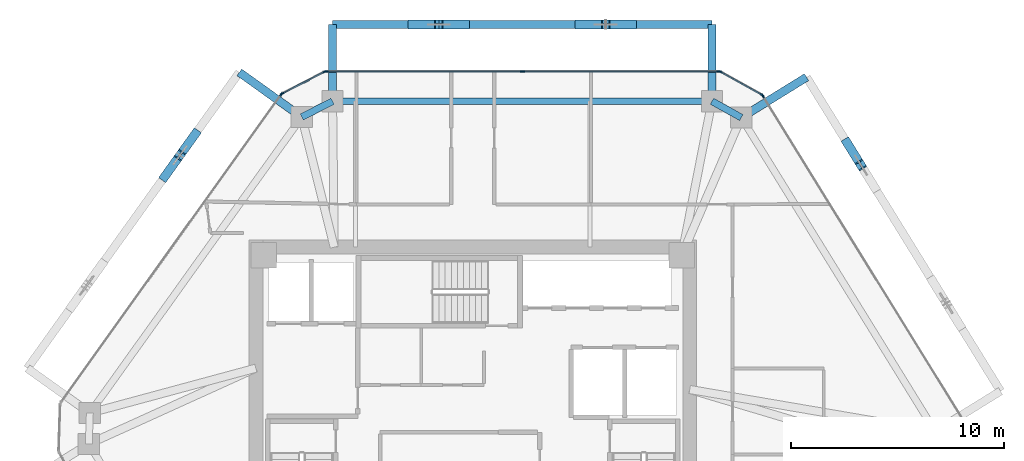
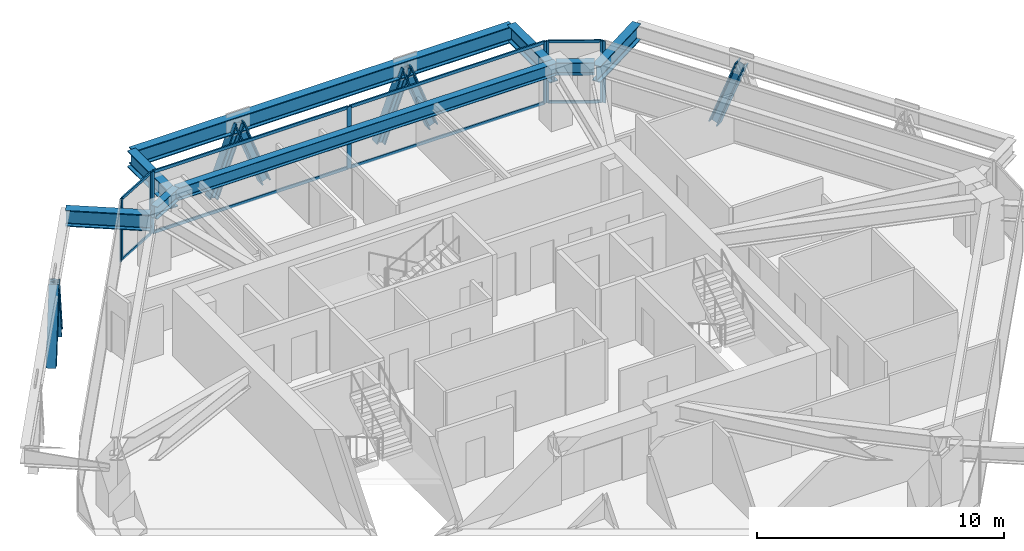
# One storey, part 6 of 14: 24 members, 8 beams, 5 elements without a shape of their own.
"""IFC4 building model written with IfcOpenShell, lengths in metres."""

from ifc_helpers import new_model, si_unit, direction, frame, origin, origin_2d, place, context, subcontext, project, spatial, rectangle, i_section, extrude, source, transform, mapped, material, layer, layer_set, material_profile, profile_set, type_object, type_shapes, element, aggregate, save


model = new_model("IFC4")

# Units and contexts
model_context = context("Model", 3, precision=1e-05, world=origin(), true_north=direction((0.0, 1.0)))
body_context = subcontext(model_context, "Body", "Model", "MODEL_VIEW")
ifc_project = project(units=[si_unit("LENGTHUNIT", "METRE"), si_unit("AREAUNIT", "SQUARE_METRE"), si_unit("VOLUMEUNIT", "CUBIC_METRE"), si_unit("PLANEANGLEUNIT", "RADIAN"), si_unit("MASSUNIT", "GRAM", prefix="KILO")], contexts=[model_context])

# Site, building, storey
site_placement = place(None, origin())
site = spatial("IfcSite", under=ifc_project, at=site_placement, CompositionType="ELEMENT")
building_placement = place(site_placement, origin())
building = spatial("IfcBuilding", under=site, at=building_placement, Name="Durnholm Broadcast Tower", CompositionType="ELEMENT")
storey_placement = place(building_placement, frame((0.0, 0.0, 187.0)))
storey = spatial("IfcBuildingStorey", under=building, at=storey_placement, Name="L51", CompositionType="ELEMENT", Elevation=187.0)

# Beams
ifc_material_1 = material(Name="Steel ASTM A992 Grade 50", Category="steel")
ifc_material_profile_1 = material_profile(ifc_material_1, i_section(OverallWidth=0.385009765625, OverallDepth=0.802978515625, WebThickness=0.023681640625, FlangeThickness=0.0419921875, FilletRadius=0.032958984375, at=origin_2d()), Name="W30X261")
ifc_profile_set_1 = profile_set([ifc_material_profile_1], Name="Steel ASTM A992 Grade 50")
beam_type_1 = type_object("IfcBeamType", Name="BM-EXO-TIE", PredefinedType="USERDEFINED", material=ifc_profile_set_1)
shared_shape_1 = source(origin(), body_context, "Body", "SweptSolid", [
    extrude(i_section(OverallWidth=0.385009765625, OverallDepth=0.802978515625, WebThickness=0.023681640625, FlangeThickness=0.0419921875, FilletRadius=0.032958984375, at=origin_2d()), origin(), (0.0, 0.0, 1.0), 3.4560546875),
])
for number, where, z_axis, x_axis, name in (
    (1, (12.713134765625, 14.327880859375, 2.30859375), (0.850662348375, 0.525712439512, 0.0), (-0.525712439512, 0.850662348375, 0.0), "L51 exoskeleton stand-off tie bracket F3.2"),
    (2, (-8.138916015625, 14.360107421875, 2.30859375), (-0.813079048773, 0.582153296346, 0.0), (-0.582153296346, -0.813079048773, 0.0), "L51 exoskeleton stand-off tie bracket F5.1"),
):
    element("IfcBeam", number, at=place(storey_placement, frame(where, z_axis=z_axis, x_axis=x_axis)), inside=storey, type_object=beam_type_1, Name=name, ObjectType="GIRDER", PredefinedType="USERDEFINED", context=body_context, shape_type="MappedRepresentation", body=[
        mapped(shared_shape_1, transform((0.0, 0.0, 0.0), x_axis=(1.0, 0.0, 0.0), y_axis=(0.0, 1.0, 0.0), z_axis=(0.0, 0.0, 1.0), scale=1.0)),
    ])
shared_shape_2 = source(origin(), body_context, "Body", "SweptSolid", [
    extrude(i_section(OverallWidth=0.385009765625, OverallDepth=0.802978515625, WebThickness=0.023681640625, FlangeThickness=0.0419921875, FilletRadius=0.032958984375, at=origin_2d()), origin(), (0.0, 0.0, 1.0), 3.455810546875),
])
for number, where, z_axis, x_axis, name in (
    (3, (11.217529296875, 15.162109375, 2.30859375), (0.0, 1.0, 0.0), (-1.0, 0.0, 0.0), "L51 exoskeleton stand-off tie bracket F4.1"),
    (4, (-6.57861328125, 15.162109375, 2.30859375), (0.0, 1.0, 0.0), (-1.0, 0.0, 0.0), "L51 exoskeleton stand-off tie bracket F4.2"),
):
    element("IfcBeam", number, at=place(storey_placement, frame(where, z_axis=z_axis, x_axis=x_axis)), inside=storey, type_object=beam_type_1, Name=name, ObjectType="GIRDER", PredefinedType="USERDEFINED", context=body_context, shape_type="MappedRepresentation", body=[
        mapped(shared_shape_2, transform((0.0, 0.0, 0.0), x_axis=(1.0, 0.0, 0.0), y_axis=(0.0, 1.0, 0.0), z_axis=(0.0, 0.0, 1.0), scale=1.0)),
    ])
ifc_material_profile_2 = material_profile(ifc_material_1, i_section(OverallWidth=0.3251953125, OverallDepth=0.6162109375, WebThickness=0.013916015625, FlangeThickness=0.021484375, FilletRadius=0.02783203125, at=origin_2d()), Name="W24X117")
ifc_profile_set_2 = profile_set([ifc_material_profile_2], Name="Steel ASTM A992 Grade 50")
beam_type_2 = type_object("IfcBeamType", Name="STL-SP-W24X117", PredefinedType="SPANDREL", material=ifc_profile_set_2)
shared_shape_3 = source(origin(), body_context, "Body", "SweptSolid", [
    extrude(i_section(OverallWidth=0.3251953125, OverallDepth=0.6162109375, WebThickness=0.013916015625, FlangeThickness=0.021484375, FilletRadius=0.02783203125, at=origin_2d()), origin(), (0.0, 0.0, 1.0), 1.62255859375),
])
beam_1_placement = place(storey_placement, frame((-8.021728515625, 14.2763671875, 2.73681640625), z_axis=(0.889406668864, 0.45711680934, 0.0), x_axis=(-0.45711680934, 0.889406668864, 0.0)))
element("IfcBeam", 5, at=beam_1_placement, inside=storey, type_object=beam_type_2, Name="L51 perimeter spandrel girder 04", PredefinedType="SPANDREL", context=body_context, shape_type="MappedRepresentation", body=[
    mapped(shared_shape_3, transform((0.0, 0.0, 0.0), x_axis=(1.0, 0.0, 0.0), y_axis=(0.0, 1.0, 0.0), z_axis=(0.0, 0.0, 1.0), scale=1.0)),
])
shared_shape_4 = source(origin(), body_context, "Body", "SweptSolid", [
    extrude(i_section(OverallWidth=0.3251953125, OverallDepth=0.6162109375, WebThickness=0.013916015625, FlangeThickness=0.021484375, FilletRadius=0.02783203125, at=origin_2d()), origin(), (0.0, 0.0, 1.0), 17.796142578125),
])
beam_2_placement = place(storey_placement, frame((-6.57861328125, 15.01806640625, 2.73681640625), z_axis=(1.0, 0.0, 0.0), x_axis=(0.0, 1.0, 0.0)))
element("IfcBeam", 6, at=beam_2_placement, inside=storey, type_object=beam_type_2, Name="L51 perimeter spandrel girder 05", PredefinedType="SPANDREL", context=body_context, shape_type="MappedRepresentation", body=[
    mapped(shared_shape_4, transform((0.0, 0.0, 0.0), x_axis=(1.0, 0.0, 0.0), y_axis=(0.0, 1.0, 0.0), z_axis=(0.0, 0.0, 1.0), scale=1.0)),
])
shared_shape_5 = source(origin(), body_context, "Body", "SweptSolid", [
    extrude(i_section(OverallWidth=0.3251953125, OverallDepth=0.6162109375, WebThickness=0.013916015625, FlangeThickness=0.021484375, FilletRadius=0.02783203125, at=origin_2d()), origin(), (0.0, 0.0, 1.0), 1.572509765625),
])
type_shapes(beam_type_2, [shared_shape_3, shared_shape_4, shared_shape_5])
beam_3_placement = place(storey_placement, frame((11.217529296875, 15.01806640625, 2.73681640625), z_axis=(0.873365144476, -0.487066037017, 0.0), x_axis=(0.487066037017, 0.873365144476, 0.0)))
element("IfcBeam", 7, at=beam_3_placement, inside=storey, type_object=beam_type_2, Name="L51 perimeter spandrel girder 06", PredefinedType="SPANDREL", context=body_context, shape_type="MappedRepresentation", body=[
    mapped(shared_shape_5, transform((0.0, 0.0, 0.0), x_axis=(1.0, 0.0, 0.0), y_axis=(0.0, 1.0, 0.0), z_axis=(0.0, 0.0, 1.0), scale=1.0)),
])
shared_shape_6 = source(origin(), body_context, "Body", "SweptSolid", [
    extrude(i_section(OverallWidth=0.385009765625, OverallDepth=0.802978515625, WebThickness=0.023681640625, FlangeThickness=0.0419921875, FilletRadius=0.032958984375, at=origin_2d()), origin(), (0.0, 0.0, 1.0), 17.796142578125),
])
type_shapes(beam_type_1, [shared_shape_1, shared_shape_2, shared_shape_6])
beam_4_placement = place(storey_placement, frame((11.217529296875, 18.617919921875, 2.30859375), z_axis=(-1.0, 0.0, 0.0), x_axis=(0.0, -1.0, 0.0)))
element("IfcBeam", 8, at=beam_4_placement, inside=storey, type_object=beam_type_1, Name="L51 exoskeleton collector spandrel F4", PredefinedType="SPANDREL", context=body_context, shape_type="MappedRepresentation", body=[
    mapped(shared_shape_6, transform((0.0, 0.0, 0.0), x_axis=(1.0, 0.0, 0.0), y_axis=(0.0, 1.0, 0.0), z_axis=(0.0, 0.0, 1.0), scale=1.0)),
])

# Members
ifc_material_2 = material(Name="Steel ASTM A913 Grade 65", Category="steel")
ifc_material_profile_3 = material_profile(ifc_material_2, i_section(OverallWidth=0.412109375, OverallDepth=0.434814453125, WebThickness=0.035888671875, FlangeThickness=0.057373046875, FilletRadius=0.030517578125, at=origin_2d()), Name="W14X311")
ifc_profile_set_3 = profile_set([ifc_material_profile_3], Name="Steel ASTM A913 Grade 65")
member_type_1 = type_object("IfcMemberType", Name="STL-DG-W14X311", PredefinedType="BRACE", material=ifc_profile_set_3)
shared_shape_7 = source(origin(), body_context, "Body", "SweptSolid", [
    extrude(i_section(OverallWidth=0.412109375, OverallDepth=0.434814453125, WebThickness=0.035888671875, FlangeThickness=0.057373046875, FilletRadius=0.030517578125, at=origin_2d()), origin(), (0.0, 0.0, 1.0), 3.523193359375),
])
type_shapes(member_type_1, [shared_shape_7])
for number, where, z_axis, x_axis, name in (
    (9, (17.551513671875, 13.072998046875, -0.991455078125), (0.184115236318, -0.297965945114, 0.936652483746), (0.850699125742, 0.525652924906, 0.0), "L51 stand-off diagrid brace F3.D2.2"),
    (10, (7.468505859375, 18.617919921875, -0.991455078125), (-0.350219588454, 0.0, 0.936667625075), (0.0, -1.0, 0.0), "L51 stand-off diagrid brace F4.D1.1"),
    (11, (5.000732421875, 18.617919921875, -0.991455078125), (0.350219588454, 0.0, 0.936667625075), (0.0, 1.0, 0.0), "L51 stand-off diagrid brace F4.D1.2"),
    (12, (-0.36181640625, 18.617919921875, -0.991455078125), (-0.350219588454, 0.0, 0.936667625075), (0.0, -1.0, 0.0), "L51 stand-off diagrid brace F4.D2.1"),
    (13, (-2.82958984375, 18.617919921875, -0.991455078125), (0.350219588454, 0.0, 0.936667625075), (0.0, 1.0, 0.0), "L51 stand-off diagrid brace F4.D2.2"),
    (14, (-13.013427734375, 13.48876953125, -0.991455078125), (-0.203869234398, -0.284737826017, 0.936675880815), (0.813077820009, -0.582155012526, 0.0), "L51 stand-off diagrid brace F5.D1.1"),
    (15, (-14.449951171875, 11.482421875, -0.991455078125), (0.203869234398, 0.284737826017, 0.936675880815), (-0.813077820009, 0.582155012526, 0.0), "L51 stand-off diagrid brace F5.D1.2"),
):
    element("IfcMember", number, at=place(storey_placement, frame(where, z_axis=z_axis, x_axis=x_axis)), inside=storey, type_object=member_type_1, Name=name, PredefinedType="BRACE", context=body_context, shape_type="MappedRepresentation", body=[
        mapped(shared_shape_7, transform((0.0, 0.0, 0.0), x_axis=(1.0, 0.0, 0.0), y_axis=(0.0, 1.0, 0.0), z_axis=(0.0, 0.0, 1.0), scale=1.0)),
    ])

# Curtain wall, members
ifc_material_3 = material(Name="Aluminium and Solar Control IGU", Category="aluminium")
ifc_layer_1 = layer(ifc_material_3, 0.1650390625)
ifc_layer_set_1 = layer_set([ifc_layer_1], Name="Aluminium and Solar Control IGU")
curtain_wall_type_1 = type_object("IfcCurtainWallType", Name="CW-SYS-5", PredefinedType="NOTDEFINED", material=ifc_layer_set_1)
curtain_wall_1_placement = place(storey_placement, origin())
curtain_wall_1 = element("IfcCurtainWall", 16, at=curtain_wall_1_placement, inside=storey, type_object=curtain_wall_type_1, Name="L51 curtain wall CW-CORNER CW-L51-CRN-03", PredefinedType="NOTDEFINED")
ifc_material_4 = material(Name="Aluminium 6063-T6", Category="aluminium")
ifc_material_profile_4 = material_profile(ifc_material_4, rectangle(XDim=0.06494140625, YDim=0.1650390625, at=origin_2d()), Name="CWM65X165")
ifc_profile_set_4 = profile_set([ifc_material_profile_4], Name="Aluminium 6063-T6")
member_type_2 = type_object("IfcMemberType", Name="CW-SYS-5-MUL", PredefinedType="MULLION", material=ifc_profile_set_4)
shared_shape_8 = source(origin(), body_context, "Body", "SweptSolid", [
    extrude(rectangle(XDim=0.06494140625, YDim=0.1650390625, at=origin_2d()), origin(), (0.0, 0.0, 1.0), 3.06005859375),
])
type_shapes(member_type_2, [shared_shape_8])
member_1_placement = place(storey_placement, frame((-8.93408203125, 15.381591796875, 0.0), z_axis=(0.0, 0.0, 1.0), x_axis=(-0.457081764476, 0.889424679545, 0.0)))
member_1 = element("IfcMember", 17, at=member_1_placement, type_object=member_type_2, Name="CW-CORNER mullion 1", PredefinedType="MULLION", context=body_context, shape_type="MappedRepresentation", body=[
    mapped(shared_shape_8, transform((0.0, 0.0, 0.0), x_axis=(1.0, 0.0, 0.0), y_axis=(0.0, 1.0, 0.0), z_axis=(0.0, 0.0, 1.0), scale=1.0)),
])
member_2_placement = place(storey_placement, frame((-6.9462890625, 16.403076171875, 0.0), z_axis=(0.0, 0.0, 1.0), x_axis=(-0.457081764476, 0.889424679545, 0.0)))
member_2 = element("IfcMember", 18, at=member_2_placement, type_object=member_type_2, Name="CW-CORNER mullion 2", PredefinedType="MULLION", context=body_context, shape_type="MappedRepresentation", body=[
    mapped(shared_shape_8, transform((0.0, 0.0, 0.0), x_axis=(1.0, 0.0, 0.0), y_axis=(0.0, 1.0, 0.0), z_axis=(0.0, 0.0, 1.0), scale=1.0)),
])

curtain_wall_2_placement = place(storey_placement, origin())
curtain_wall_2 = element("IfcCurtainWall", 19, at=curtain_wall_2_placement, inside=storey, type_object=curtain_wall_type_1, Name="L51 curtain wall CW-CORNER CW-L51-CRN-05", PredefinedType="NOTDEFINED")
member_3_placement = place(storey_placement, frame((11.60986328125, 16.402099609375, 0.0), z_axis=(0.0, 0.0, 1.0), x_axis=(0.486986043316, 0.873409751271, 0.0)))
member_3 = element("IfcMember", 20, at=member_3_placement, type_object=member_type_2, Name="CW-CORNER mullion 1", PredefinedType="MULLION", context=body_context, shape_type="MappedRepresentation", body=[
    mapped(shared_shape_8, transform((0.0, 0.0, 0.0), x_axis=(1.0, 0.0, 0.0), y_axis=(0.0, 1.0, 0.0), z_axis=(0.0, 0.0, 1.0), scale=1.0)),
])
member_4_placement = place(storey_placement, frame((13.56201171875, 15.313720703125, 0.0), z_axis=(0.0, 0.0, 1.0), x_axis=(0.486986043316, 0.873409751271, 0.0)))
member_4 = element("IfcMember", 21, at=member_4_placement, type_object=member_type_2, Name="CW-CORNER mullion 2", PredefinedType="MULLION", context=body_context, shape_type="MappedRepresentation", body=[
    mapped(shared_shape_8, transform((0.0, 0.0, 0.0), x_axis=(1.0, 0.0, 0.0), y_axis=(0.0, 1.0, 0.0), z_axis=(0.0, 0.0, 1.0), scale=1.0)),
])

# Member
ifc_material_profile_5 = material_profile(ifc_material_4, rectangle(XDim=0.06494140625, YDim=0.1298828125, at=origin_2d()), Name="CWT65X130")
ifc_profile_set_5 = profile_set([ifc_material_profile_5], Name="Aluminium 6063-T6")
member_type_3 = type_object("IfcMemberType", Name="CW-SYS-5-TRN", PredefinedType="USERDEFINED", material=ifc_profile_set_5)
shared_shape_9 = source(origin(), body_context, "Body", "SweptSolid", [
    extrude(rectangle(XDim=0.06494140625, YDim=0.1298828125, at=origin_2d()), origin(), (0.0, 0.0, 1.0), 2.169921875),
])
type_shapes(member_type_3, [shared_shape_9])
member_5_placement = place(storey_placement, frame((-8.9052734375, 15.396484375, 0.032470703125), z_axis=(0.889468148591, 0.456997169185, 0.0), x_axis=(-0.456997169185, 0.889468148591, 0.0)))
member_5 = element("IfcMember", 22, at=member_5_placement, type_object=member_type_3, Name="CW-CORNER transom 1.1", ObjectType="TRANSOM", PredefinedType="USERDEFINED", context=body_context, shape_type="MappedRepresentation", body=[
    mapped(shared_shape_9, transform((0.0, 0.0, 0.0), x_axis=(1.0, 0.0, 0.0), y_axis=(0.0, 1.0, 0.0), z_axis=(0.0, 0.0, 1.0), scale=1.0)),
])

member_6_placement = place(storey_placement, frame((-8.9052734375, 15.396484375, 3.027587890625), z_axis=(0.889468148591, 0.456997169185, 0.0), x_axis=(-0.456997169185, 0.889468148591, 0.0)))
member_6 = element("IfcMember", 23, at=member_6_placement, type_object=member_type_3, Name="CW-CORNER transom 1.2", ObjectType="TRANSOM", PredefinedType="USERDEFINED", context=body_context, shape_type="MappedRepresentation", body=[
    mapped(shared_shape_9, transform((0.0, 0.0, 0.0), x_axis=(1.0, 0.0, 0.0), y_axis=(0.0, 1.0, 0.0), z_axis=(0.0, 0.0, 1.0), scale=1.0)),
])

aggregate(curtain_wall_1, [member_1, member_2, member_5, member_6])

member_7_placement = place(storey_placement, frame((11.63818359375, 16.38623046875, 0.032470703125), z_axis=(0.873429215361, -0.48695113282, 0.0), x_axis=(0.48695113282, 0.873429215361, 0.0)))
member_7 = element("IfcMember", 24, at=member_7_placement, type_object=member_type_3, Name="CW-CORNER transom 1.1", ObjectType="TRANSOM", PredefinedType="USERDEFINED", context=body_context, shape_type="MappedRepresentation", body=[
    mapped(shared_shape_9, transform((0.0, 0.0, 0.0), x_axis=(1.0, 0.0, 0.0), y_axis=(0.0, 1.0, 0.0), z_axis=(0.0, 0.0, 1.0), scale=1.0)),
])

member_8_placement = place(storey_placement, frame((11.63818359375, 16.38623046875, 3.027587890625), z_axis=(0.873429215361, -0.48695113282, 0.0), x_axis=(0.48695113282, 0.873429215361, 0.0)))
member_8 = element("IfcMember", 25, at=member_8_placement, type_object=member_type_3, Name="CW-CORNER transom 1.2", ObjectType="TRANSOM", PredefinedType="USERDEFINED", context=body_context, shape_type="MappedRepresentation", body=[
    mapped(shared_shape_9, transform((0.0, 0.0, 0.0), x_axis=(1.0, 0.0, 0.0), y_axis=(0.0, 1.0, 0.0), z_axis=(0.0, 0.0, 1.0), scale=1.0)),
])

aggregate(curtain_wall_2, [member_3, member_4, member_7, member_8])

# Curtain wall, members
ifc_layer_2 = layer(ifc_material_3, 0.18994140625)
ifc_layer_set_2 = layer_set([ifc_layer_2], Name="Aluminium and Solar Control IGU")
curtain_wall_type_2 = type_object("IfcCurtainWallType", Name="CW-SYS-4", PredefinedType="NOTDEFINED", material=ifc_layer_set_2)
curtain_wall_3_placement = place(storey_placement, origin())
curtain_wall_3 = element("IfcCurtainWall", 26, at=curtain_wall_3_placement, inside=storey, type_object=curtain_wall_type_2, Name="L51 curtain wall CW-Z34-VIS CW-L51-F04", PredefinedType="NOTDEFINED")
ifc_material_profile_6 = material_profile(ifc_material_4, rectangle(XDim=0.070068359375, YDim=0.14990234375, at=origin_2d()), Name="CWT70X150")
ifc_profile_set_6 = profile_set([ifc_material_profile_6], Name="Aluminium 6063-T6")
member_type_4 = type_object("IfcMemberType", Name="CW-SYS-4-TRN", PredefinedType="USERDEFINED", material=ifc_profile_set_6)
shared_shape_10 = source(origin(), body_context, "Body", "SweptSolid", [
    extrude(rectangle(XDim=0.070068359375, YDim=0.14990234375, at=origin_2d()), origin(), (0.0, 0.0, 1.0), 9.14453125),
])
type_shapes(member_type_4, [shared_shape_10])
member_9_placement = place(storey_placement, frame((-6.847412109375, 16.41796875, 0.034912109375), z_axis=(1.0, 0.0, 0.0), x_axis=(0.0, 1.0, 0.0)))
member_9 = element("IfcMember", 27, at=member_9_placement, type_object=member_type_4, Name="CW-Z34-VIS transom 1.1", ObjectType="TRANSOM", PredefinedType="USERDEFINED", context=body_context, shape_type="MappedRepresentation", body=[
    mapped(shared_shape_10, transform((0.0, 0.0, 0.0), x_axis=(1.0, 0.0, 0.0), y_axis=(0.0, 1.0, 0.0), z_axis=(0.0, 0.0, 1.0), scale=1.0)),
])
member_10_placement = place(storey_placement, frame((-6.847412109375, 16.41796875, 3.02490234375), z_axis=(1.0, 0.0, 0.0), x_axis=(0.0, 1.0, 0.0)))
member_10 = element("IfcMember", 28, at=member_10_placement, type_object=member_type_4, Name="CW-Z34-VIS transom 1.2", ObjectType="TRANSOM", PredefinedType="USERDEFINED", context=body_context, shape_type="MappedRepresentation", body=[
    mapped(shared_shape_10, transform((0.0, 0.0, 0.0), x_axis=(1.0, 0.0, 0.0), y_axis=(0.0, 1.0, 0.0), z_axis=(0.0, 0.0, 1.0), scale=1.0)),
])
member_11_placement = place(storey_placement, frame((2.366943359375, 16.41796875, 0.034912109375), z_axis=(1.0, 0.0, 0.0), x_axis=(0.0, 1.0, 0.0)))
member_11 = element("IfcMember", 29, at=member_11_placement, type_object=member_type_4, Name="CW-Z34-VIS transom 2.1", ObjectType="TRANSOM", PredefinedType="USERDEFINED", context=body_context, shape_type="MappedRepresentation", body=[
    mapped(shared_shape_10, transform((0.0, 0.0, 0.0), x_axis=(1.0, 0.0, 0.0), y_axis=(0.0, 1.0, 0.0), z_axis=(0.0, 0.0, 1.0), scale=1.0)),
])
member_12_placement = place(storey_placement, frame((2.366943359375, 16.41796875, 3.02490234375), z_axis=(1.0, 0.0, 0.0), x_axis=(0.0, 1.0, 0.0)))
member_12 = element("IfcMember", 30, at=member_12_placement, type_object=member_type_4, Name="CW-Z34-VIS transom 2.2", ObjectType="TRANSOM", PredefinedType="USERDEFINED", context=body_context, shape_type="MappedRepresentation", body=[
    mapped(shared_shape_10, transform((0.0, 0.0, 0.0), x_axis=(1.0, 0.0, 0.0), y_axis=(0.0, 1.0, 0.0), z_axis=(0.0, 0.0, 1.0), scale=1.0)),
])

# Curtain wall, member
curtain_wall_4_placement = place(storey_placement, origin())
curtain_wall_4 = element("IfcCurtainWall", 31, at=curtain_wall_4_placement, inside=storey, type_object=curtain_wall_type_2, Name="L51 curtain wall CW-Z34-VIS CW-L51-F02", PredefinedType="NOTDEFINED")
ifc_material_profile_7 = material_profile(ifc_material_4, rectangle(XDim=0.070068359375, YDim=0.18994140625, at=origin_2d()), Name="CWM70X190")
ifc_profile_set_7 = profile_set([ifc_material_profile_7], Name="Aluminium 6063-T6")
member_type_5 = type_object("IfcMemberType", Name="CW-SYS-4-MUL", PredefinedType="MULLION", material=ifc_profile_set_7)
shared_shape_11 = source(origin(), body_context, "Body", "SweptSolid", [
    extrude(rectangle(XDim=0.070068359375, YDim=0.18994140625, at=origin_2d()), origin(), (0.0, 0.0, 1.0), 3.06005859375),
])
type_shapes(member_type_5, [shared_shape_11])
member_13_placement = place(storey_placement, frame((-8.9833984375, 15.338134765625, 0.0), z_axis=(0.0, 0.0, 1.0), x_axis=(-0.813089262696, 0.582139030549, 0.0)))
member_13 = element("IfcMember", 32, at=member_13_placement, type_object=member_type_5, Name="CW-Z34-VIS mullion 2", PredefinedType="MULLION", context=body_context, shape_type="MappedRepresentation", body=[
    mapped(shared_shape_11, transform((0.0, 0.0, 0.0), x_axis=(1.0, 0.0, 0.0), y_axis=(0.0, 1.0, 0.0), z_axis=(0.0, 0.0, 1.0), scale=1.0)),
])
aggregate(curtain_wall_4, [member_13])

# Member
member_14_placement = place(storey_placement, frame((-6.88232421875, 16.41796875, 0.0), z_axis=(0.0, 0.0, 1.0), x_axis=(0.0, 1.0, 0.0)))
member_14 = element("IfcMember", 33, at=member_14_placement, type_object=member_type_5, Name="CW-Z34-VIS mullion 1", PredefinedType="MULLION", context=body_context, shape_type="MappedRepresentation", body=[
    mapped(shared_shape_11, transform((0.0, 0.0, 0.0), x_axis=(1.0, 0.0, 0.0), y_axis=(0.0, 1.0, 0.0), z_axis=(0.0, 0.0, 1.0), scale=1.0)),
])

member_15_placement = place(storey_placement, frame((2.33203125, 16.41796875, 0.0), z_axis=(0.0, 0.0, 1.0), x_axis=(0.0, 1.0, 0.0)))
member_15 = element("IfcMember", 34, at=member_15_placement, type_object=member_type_5, Name="CW-Z34-VIS mullion 2", PredefinedType="MULLION", context=body_context, shape_type="MappedRepresentation", body=[
    mapped(shared_shape_11, transform((0.0, 0.0, 0.0), x_axis=(1.0, 0.0, 0.0), y_axis=(0.0, 1.0, 0.0), z_axis=(0.0, 0.0, 1.0), scale=1.0)),
])

member_16_placement = place(storey_placement, frame((11.54638671875, 16.41796875, 0.0), z_axis=(0.0, 0.0, 1.0), x_axis=(0.0, 1.0, 0.0)))
member_16 = element("IfcMember", 35, at=member_16_placement, type_object=member_type_5, Name="CW-Z34-VIS mullion 3", PredefinedType="MULLION", context=body_context, shape_type="MappedRepresentation", body=[
    mapped(shared_shape_11, transform((0.0, 0.0, 0.0), x_axis=(1.0, 0.0, 0.0), y_axis=(0.0, 1.0, 0.0), z_axis=(0.0, 0.0, 1.0), scale=1.0)),
])

aggregate(curtain_wall_3, [member_14, member_15, member_16, member_9, member_10, member_11, member_12])

# Curtain wall, member
curtain_wall_5_placement = place(storey_placement, origin())
curtain_wall_5 = element("IfcCurtainWall", 36, at=curtain_wall_5_placement, inside=storey, type_object=curtain_wall_type_2, Name="L51 curtain wall CW-Z34-VIS CW-L51-F06", PredefinedType="NOTDEFINED")
member_17_placement = place(storey_placement, frame((13.608642578125, 15.26806640625, 0.0), z_axis=(0.0, 0.0, 1.0), x_axis=(0.850671426092, 0.525697750452, 0.0)))
member_17 = element("IfcMember", 37, at=member_17_placement, type_object=member_type_5, Name="CW-Z34-VIS mullion 1", PredefinedType="MULLION", context=body_context, shape_type="MappedRepresentation", body=[
    mapped(shared_shape_11, transform((0.0, 0.0, 0.0), x_axis=(1.0, 0.0, 0.0), y_axis=(0.0, 1.0, 0.0), z_axis=(0.0, 0.0, 1.0), scale=1.0)),
])
aggregate(curtain_wall_5, [member_17])

save(model, "model.ifc")
